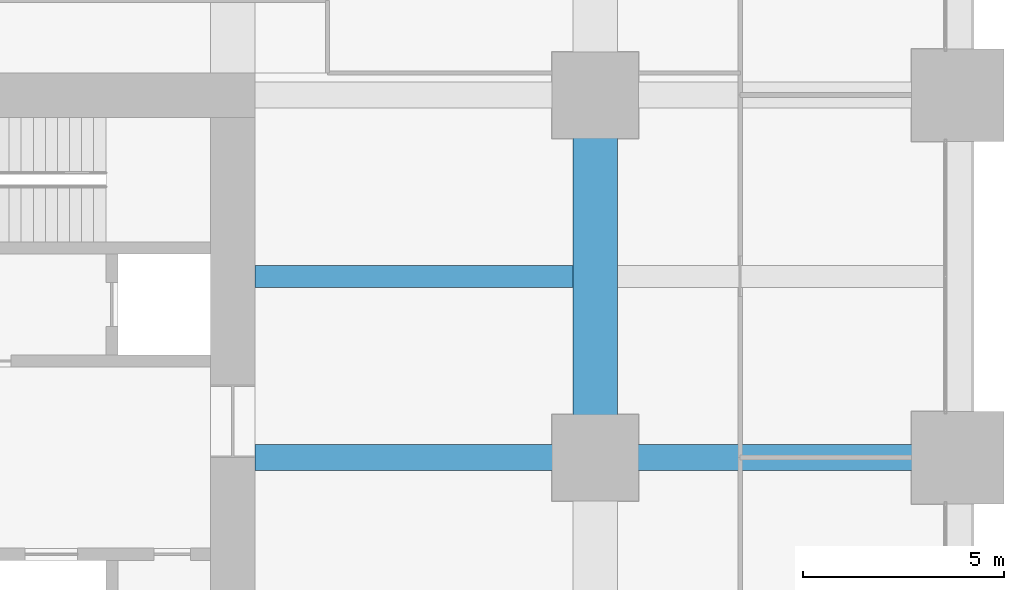
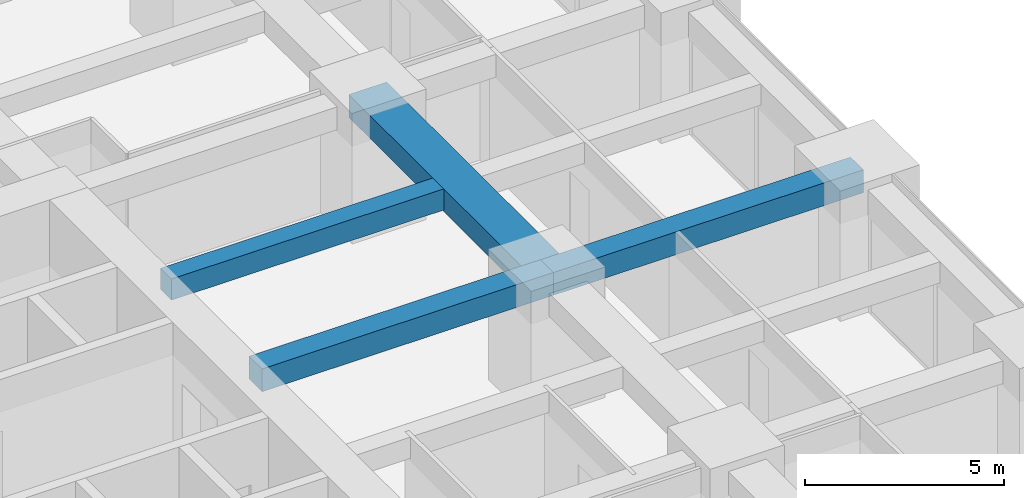
# One storey, part 21 of 44: 4 beams.
"""IFC4 building model written with IfcOpenShell, lengths in metres."""

import ifcopenshell
import ifcopenshell.guid

model = None  # the IFC model being written
_history = None  # IfcOwnerHistory: only IFC2X3 demands one
_inside = {}  # id of a spatial element -> (the spatial element, [elements in it])
_under = {}  # id of a project, library or spatial element -> (it, [spatial elements below it])
_declared = {}  # id of a project -> (the project, [libraries it declares])
_typed = {}  # id of a type object -> (the type object, [elements of that type])
_made_of = {}  # id of a material, layer set ... -> (it, [elements and type objects made of it])


def new_model(schema):
    """Start an empty IFC model of exactly this schema.

    Asked for "IFC4X3", IfcOpenShell would pick the latest addendum, in which some entities
    have other attributes; the version numbers below select the first issue.
    IFC2X3 requires an IfcOwnerHistory on every rooted entity: one is made here for all.
    """
    global model, _history
    if schema == "IFC4X3":
        model = ifcopenshell.file(schema_version=(4, 3, 0, 0))
    else:
        model = ifcopenshell.file(schema=schema)
    _inside.clear()
    _under.clear()
    _declared.clear()
    _typed.clear()
    _made_of.clear()
    _history = None
    if model.schema == "IFC2X3":
        org = make("IfcOrganization", Name="unknown")
        user = make(
            "IfcPersonAndOrganization",
            ThePerson=make("IfcPerson", FamilyName="unknown"),
            TheOrganization=org,
        )
        app = make(
            "IfcApplication",
            ApplicationDeveloper=org,
            Version="unknown",
            ApplicationFullName="unknown",
            ApplicationIdentifier="unknown",
        )
        _history = make(
            "IfcOwnerHistory",
            OwningUser=user,
            OwningApplication=app,
            ChangeAction="ADDED",
            CreationDate=0,
        )
    return model


def make(cls, **values):
    """One entity of the class cls with the attributes given. An attribute that is None is left unset."""
    return model.create_entity(
        cls, **{name: value for name, value in values.items() if value is not None}
    )


def rooted(cls, **values):
    """An entity with a GlobalId (a new one), such as an element, a storey or a relation."""
    return make(cls, GlobalId=ifcopenshell.guid.new(), OwnerHistory=_history, **values)


def si_unit(unit_type, name, prefix=None):
    """IfcSIUnit, for example si_unit("LENGTHUNIT", "METRE", prefix="MILLI")."""
    return make("IfcSIUnit", UnitType=unit_type, Prefix=prefix, Name=name)


def assignment(units):
    """IfcUnitAssignment: the units of a project."""
    return None if units is None else make("IfcUnitAssignment", Units=units)


def point(xyz):
    """IfcCartesianPoint."""
    return None if xyz is None else make("IfcCartesianPoint", Coordinates=xyz)


def direction(xyz):
    """IfcDirection."""
    return None if xyz is None else make("IfcDirection", DirectionRatios=xyz)


def frame(location, z_axis=None, x_axis=None):
    """IfcAxis2Placement3D, a coordinate frame: its origin and axes. An axis left out is left unset."""
    return make(
        "IfcAxis2Placement3D",
        Location=point(location),
        Axis=direction(z_axis),
        RefDirection=direction(x_axis),
    )


def frame_2d(location, x_axis=None):
    """IfcAxis2Placement2D, a coordinate frame in the plane: its origin and x axis."""
    return make(
        "IfcAxis2Placement2D", Location=point(location), RefDirection=direction(x_axis)
    )


def origin():
    """The frame at (0, 0, 0) with its axes left unset."""
    return frame((0.0, 0.0, 0.0))


def origin_2d():
    """The frame at (0, 0) in the plane with its x axis left unset."""
    return frame_2d((0.0, 0.0))


def place(relative_to, where):
    """IfcLocalPlacement: puts the frame where relative to a parent placement (None: the world)."""
    return make(
        "IfcLocalPlacement", PlacementRelTo=relative_to, RelativePlacement=where
    )


def context(
    kind, dimensions, precision=None, world=None, true_north=None, identifier=None
):
    """IfcGeometricRepresentationContext, for example the 3D "Model" context."""
    return make(
        "IfcGeometricRepresentationContext",
        ContextIdentifier=identifier,
        ContextType=kind,
        CoordinateSpaceDimension=dimensions,
        Precision=precision,
        WorldCoordinateSystem=world,
        TrueNorth=true_north,
    )


def subcontext(parent, identifier, kind, view, scale=None):
    """IfcGeometricRepresentationSubContext, for example "Body" below "Model"."""
    return make(
        "IfcGeometricRepresentationSubContext",
        ContextIdentifier=identifier,
        ContextType=kind,
        ParentContext=parent,
        TargetScale=scale,
        TargetView=view,
    )


def project(units=None, contexts=None):
    """IfcProject with its units and contexts."""
    return rooted(
        "IfcProject",
        Name="project",
        RepresentationContexts=contexts,
        UnitsInContext=assignment(units),
    )


def spatial(cls, under=None, at=None, **own):
    """A site, building, storey or space (cls), placed at a placement, below another one or the project."""
    s = rooted(cls, ObjectPlacement=at, **own)
    if under is not None:
        _under.setdefault(under.id(), (under, []))[1].append(s)
    return s


def profile(cls, at=None, kind="AREA", **sizes):
    """A parametric profile (cls). Its sizes go by their IFC names, for example OverallWidth=200.0."""
    return make(cls, ProfileType=kind, Position=at, **sizes)


def rectangle(**sizes):
    """IfcRectangleProfileDef."""
    return profile("IfcRectangleProfileDef", **sizes)


def extrude(swept, where, along, depth):
    """IfcExtrudedAreaSolid: the profile swept, set in the frame where, extruded along a direction by depth."""
    return make(
        "IfcExtrudedAreaSolid",
        SweptArea=swept,
        Position=where,
        ExtrudedDirection=direction(along),
        Depth=depth,
    )


def shape(context_of_items, identifier, shape_type, items):
    """IfcShapeRepresentation: the items that make up one representation, for example the "Body"."""
    return make(
        "IfcShapeRepresentation",
        ContextOfItems=context_of_items,
        RepresentationIdentifier=identifier,
        RepresentationType=shape_type,
        Items=items,
    )


def material(Name=None, Category=None):
    """IfcMaterial."""
    return make("IfcMaterial", Name=Name, Category=Category)


def material_profile(
    of_material, cross_section, Name=None, Category=None, Priority=None
):
    """IfcMaterialProfile: a cross section and its material."""
    return make(
        "IfcMaterialProfile",
        Name=Name,
        Material=of_material,
        Profile=cross_section,
        Priority=Priority,
        Category=Category,
    )


def profile_set(profiles, Name=None, composite=None):
    """IfcMaterialProfileSet."""
    return make(
        "IfcMaterialProfileSet",
        Name=Name,
        MaterialProfiles=profiles,
        CompositeProfile=composite,
    )


def made_of(thing, what):
    """Note that an element or type object is made of a material, layer set ...; save() writes the relation."""
    if what is not None:
        _made_of.setdefault(what.id(), (what, []))[1].append(thing)
    return thing


def type_object(cls, material=None, **own):
    """A type object (cls), such as IfcWallType, which elements share."""
    return made_of(rooted(cls, **own), material)


def element(
    cls,
    number,
    at=None,
    inside=None,
    cuts=None,
    type_object=None,
    material=None,
    context=None,
    identifier="Body",
    shape_type=None,
    held_by="IfcProductDefinitionShape",
    body=None,
    shapes=None,
    **own,
):
    """One element of the class cls, such as IfcWall. Its Tag is "e" and its number.

    at: its placement. inside: the storey or other place that contains it. cuts: it is an
    opening in that element (IfcRelVoidsElement). A single representation is given by context,
    identifier, shape_type and body (its items); several are given by shapes. held_by: the class
    of the entity that holds the representations. save() writes the other relations.
    """
    e = rooted(cls, Tag="e%d" % number, ObjectPlacement=at, **own)
    if body is not None:
        shapes = [shape(context, identifier, shape_type, body)]
    if shapes is not None:
        e.Representation = make(held_by, Representations=shapes)
    if inside is not None:
        _inside.setdefault(inside.id(), (inside, []))[1].append(e)
    if cuts is not None:
        rooted(
            "IfcRelVoidsElement", RelatingBuildingElement=cuts, RelatedOpeningElement=e
        )
    if type_object is not None:
        _typed.setdefault(type_object.id(), (type_object, []))[1].append(e)
    return made_of(e, material)


def aggregate(whole, parts):
    """IfcRelAggregates: a whole, such as a stair, and the parts it consists of."""
    return rooted("IfcRelAggregates", RelatingObject=whole, RelatedObjects=parts)


def save(model, path):
    """Write the relations noted so far, then the file.

    IfcRelAggregates (storeys below a building ...), IfcRelContainedInSpatialStructure (elements
    in a storey), IfcRelDefinesByType, IfcRelAssociatesMaterial and IfcRelDeclares: one each for
    every whole, place, type object, material and project.
    """
    for whole, parts in _under.values():
        aggregate(whole, parts)
    for where, things in _inside.values():
        rooted(
            "IfcRelContainedInSpatialStructure",
            RelatedElements=things,
            RelatingStructure=where,
        )
    for kind, things in _typed.values():
        rooted("IfcRelDefinesByType", RelatedObjects=things, RelatingType=kind)
    for what, things in _made_of.values():
        rooted("IfcRelAssociatesMaterial", RelatedObjects=things, RelatingMaterial=what)
    for by, libraries in _declared.values():
        rooted("IfcRelDeclares", RelatingContext=by, RelatedDefinitions=libraries)
    model.write(path)


model = new_model("IFC4")

# Units and contexts
model_context = context("Model", 3, precision=1e-05, world=origin(), true_north=direction((0.0, 1.0)))
body_context = subcontext(model_context, "Body", "Model", "MODEL_VIEW")
ifc_project = project(units=[si_unit("LENGTHUNIT", "METRE"), si_unit("AREAUNIT", "SQUARE_METRE"), si_unit("VOLUMEUNIT", "CUBIC_METRE"), si_unit("PLANEANGLEUNIT", "RADIAN"), si_unit("MASSUNIT", "GRAM", prefix="KILO")], contexts=[model_context])

# Site, building, storey
site_placement = place(None, origin())
site = spatial("IfcSite", under=ifc_project, at=site_placement, CompositionType="ELEMENT")
building_placement = place(site_placement, origin())
building = spatial("IfcBuilding", under=site, at=building_placement, Name="Zorevar Civic Tower", CompositionType="ELEMENT")
storey_placement = place(building_placement, frame((0.0, 0.0, 51.800048828125)))
storey = spatial("IfcBuildingStorey", under=building, at=storey_placement, Name="L12", CompositionType="ELEMENT", Elevation=51.800048828125)

# Beams
ifc_material_1 = material(Name="Concrete C50/60", Category="concrete")
ifc_material_profile_1 = material_profile(ifc_material_1, rectangle(XDim=1.10009765625, YDim=0.699951171875, at=origin_2d()), Name="RC 1100x700")
ifc_profile_set_1 = profile_set([ifc_material_profile_1], Name="Concrete C50/60")
beam_type_1 = type_object("IfcBeamType", Name="Beam RC 1100x700", PredefinedType="BEAM", material=ifc_profile_set_1)
beam_1_placement = place(storey_placement, frame((54.0, 27.0, 3.39990234375), z_axis=(0.0, 1.0, 0.0), x_axis=(-1.0, 0.0, 0.0)))
element("IfcBeam", 1, at=beam_1_placement, inside=storey, type_object=beam_type_1, Name="Girder L13", PredefinedType="BEAM", context=body_context, shape_type="SweptSolid", body=[
    extrude(rectangle(XDim=1.10009765625, YDim=0.699951171875, at=origin_2d()), origin(), (0.0, 0.0, 1.0), 9.0),
])
ifc_material_2 = material(Name="Concrete C50/60", Category="concrete")
ifc_material_profile_2 = material_profile(ifc_material_2, rectangle(XDim=0.550048828125, YDim=0.64990234375, at=origin_2d()), Name="RC 550x650")
ifc_profile_set_2 = profile_set([ifc_material_profile_2], Name="Concrete C50/60")
beam_type_2 = type_object("IfcBeamType", Name="Beam RC 550x650", PredefinedType="BEAM", material=ifc_profile_set_2)
beam_2_placement = place(storey_placement, frame((45.550048828125, 31.5, 3.425048828125), z_axis=(1.0, 0.0, 0.0), x_axis=(0.0, 1.0, 0.0)))
element("IfcBeam", 2, at=beam_2_placement, inside=storey, type_object=beam_type_2, Name="Secondary beam L13", PredefinedType="BEAM", context=body_context, shape_type="SweptSolid", body=[
    extrude(rectangle(XDim=0.550048828125, YDim=0.64990234375, at=origin_2d()), origin(), (0.0, 0.0, 1.0), 7.89990234375),
])
ifc_material_3 = material(Name="Concrete C50/60", Category="concrete")
ifc_material_profile_3 = material_profile(ifc_material_3, rectangle(XDim=0.64990234375, YDim=0.699951171875, at=origin_2d()), Name="RC 650x700")
ifc_profile_set_3 = profile_set([ifc_material_profile_3], Name="Concrete C50/60")
beam_type_3 = type_object("IfcBeamType", Name="Beam RC 650x700", PredefinedType="BEAM", material=ifc_profile_set_3)
beam_3_placement = place(storey_placement, frame((45.550048828125, 27.0, 3.39990234375), z_axis=(1.0, 0.0, 0.0), x_axis=(0.0, 1.0, 0.0)))
element("IfcBeam", 3, at=beam_3_placement, inside=storey, type_object=beam_type_3, Name="Girder L13", PredefinedType="BEAM", context=body_context, shape_type="SweptSolid", body=[
    extrude(rectangle(XDim=0.64990234375, YDim=0.699951171875, at=origin_2d()), origin(), (0.0, 0.0, 1.0), 8.449951171875),
])
beam_4_placement = place(storey_placement, frame((54.0, 27.0, 3.39990234375), z_axis=(1.0, 0.0, 0.0), x_axis=(0.0, 1.0, 0.0)))
element("IfcBeam", 4, at=beam_4_placement, inside=storey, type_object=beam_type_3, Name="Girder L13", PredefinedType="BEAM", context=body_context, shape_type="SweptSolid", body=[
    extrude(rectangle(XDim=0.64990234375, YDim=0.699951171875, at=origin_2d()), origin(), (0.0, 0.0, 1.0), 9.0),
])

save(model, "model.ifc")
